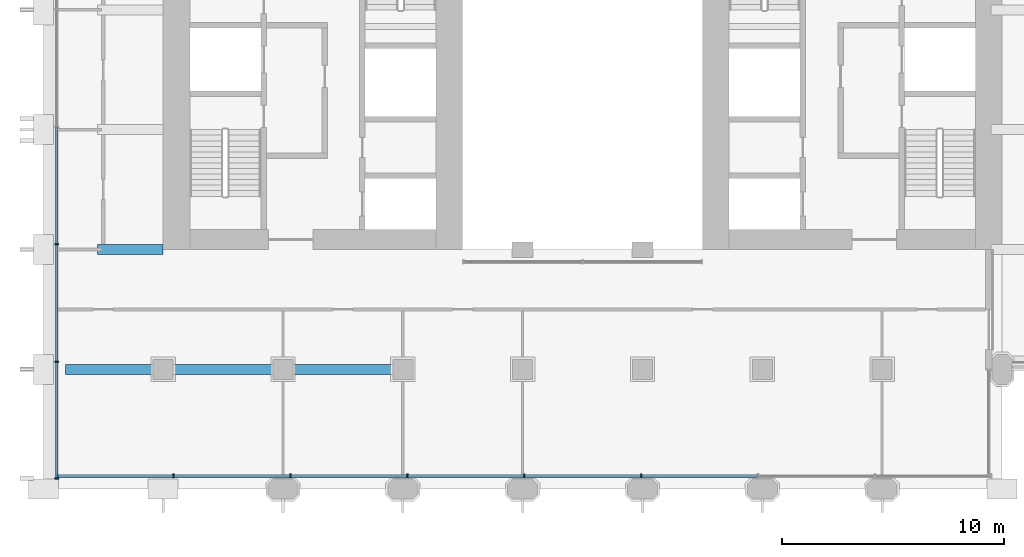
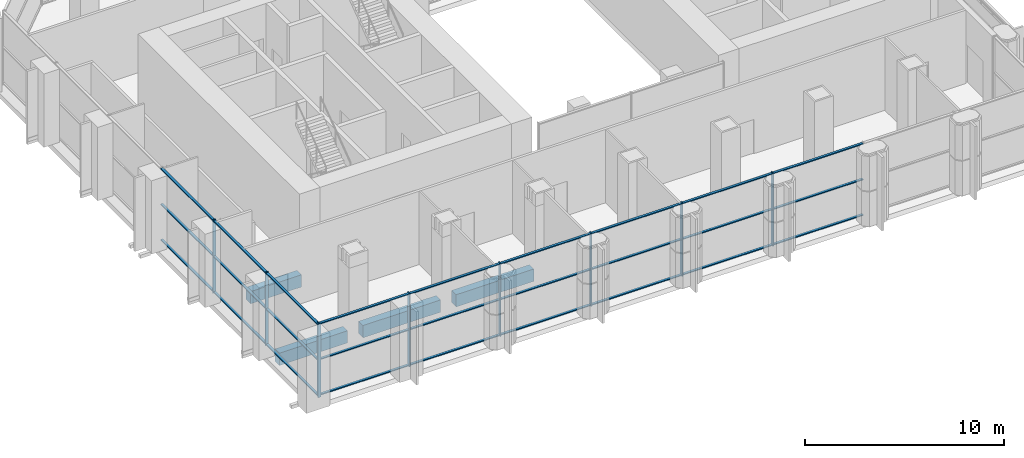
# One storey, part 2 of 15: 36 members, 4 beams, 2 elements without a shape of their own.
"""IFC4 building model written with IfcOpenShell, lengths in metres."""

from ifc_helpers import new_model, si_unit, direction, frame, origin, origin_2d, place, context, subcontext, project, spatial, rectangle, extrude, material, material_profile, profile_set, type_object, element, aggregate, save


model = new_model("IFC4")

# Units and contexts
model_context = context("Model", 3, precision=1e-05, world=origin(), true_north=direction((0.0, 1.0)))
body_context = subcontext(model_context, "Body", "Model", "MODEL_VIEW")
ifc_project = project(units=[si_unit("LENGTHUNIT", "METRE"), si_unit("AREAUNIT", "SQUARE_METRE"), si_unit("VOLUMEUNIT", "CUBIC_METRE"), si_unit("PLANEANGLEUNIT", "RADIAN"), si_unit("MASSUNIT", "GRAM", prefix="KILO")], contexts=[model_context])

# Site, building, storey
site_placement = place(None, origin())
site = spatial("IfcSite", under=ifc_project, at=site_placement, CompositionType="ELEMENT")
building_placement = place(site_placement, origin())
building = spatial("IfcBuilding", under=site, at=building_placement, Name="Tabaq Tower and Sports Hall", CompositionType="ELEMENT")
storey_placement = place(building_placement, frame((0.0, 0.0, 143.199951171875)))
storey = spatial("IfcBuildingStorey", under=building, at=storey_placement, Name="L33", CompositionType="ELEMENT", Elevation=143.199951171875)

# Curtain wall, members
ifc_material_1 = material(Name="Aluminium alloy 6063-T6 framed glazing", Category="aluminium")
curtain_wall_type = type_object("IfcCurtainWallType", Name="CW3 curtain wall", PredefinedType="USERDEFINED", material=ifc_material_1)
curtain_wall_1_placement = place(storey_placement, origin())
curtain_wall_1 = element("IfcCurtainWall", 1, at=curtain_wall_1_placement, inside=storey, type_object=curtain_wall_type, Name="Garden Floor Wall L33 S", ObjectType="GARDEN FLOOR WALL", PredefinedType="USERDEFINED")
ifc_material_2 = material(Name="Aluminium alloy 6063-T6", Category="aluminium")
ifc_material_profile_1 = material_profile(ifc_material_2, rectangle(XDim=0.179931640625, YDim=0.06005859375, at=origin_2d()), Name="MULLION 180x60")
ifc_profile_set_1 = profile_set([ifc_material_profile_1], Name="Aluminium alloy 6063-T6")
member_type_1 = type_object("IfcMemberType", Name="CW3 mullion 180x60", PredefinedType="MULLION", material=ifc_profile_set_1)
member_1_placement = place(storey_placement, frame((0.6298828125, 6.0, 0.0), z_axis=(0.0, 0.0, 1.0), x_axis=(0.0, 1.0, 0.0)))
member_1 = element("IfcMember", 2, at=member_1_placement, type_object=member_type_1, Name="CW3 mullion 1", PredefinedType="MULLION", context=body_context, shape_type="SweptSolid", body=[
    extrude(rectangle(XDim=0.179931640625, YDim=0.06005859375, at=origin_2d()), origin(), (0.0, 0.0, 1.0), 4.5),
])
member_2_placement = place(storey_placement, frame((5.86865234375, 6.0, 0.0), z_axis=(0.0, 0.0, 1.0), x_axis=(0.0, 1.0, 0.0)))
member_2 = element("IfcMember", 3, at=member_2_placement, type_object=member_type_1, Name="CW3 mullion 2", PredefinedType="MULLION", context=body_context, shape_type="SweptSolid", body=[
    extrude(rectangle(XDim=0.179931640625, YDim=0.06005859375, at=origin_2d()), origin(), (0.0, 0.0, 1.0), 4.5),
])
member_3_placement = place(storey_placement, frame((11.137451171875, 6.0, 0.0), z_axis=(0.0, 0.0, 1.0), x_axis=(0.0, 1.0, 0.0)))
member_3 = element("IfcMember", 4, at=member_3_placement, type_object=member_type_1, Name="CW3 mullion 3", PredefinedType="MULLION", context=body_context, shape_type="SweptSolid", body=[
    extrude(rectangle(XDim=0.179931640625, YDim=0.06005859375, at=origin_2d()), origin(), (0.0, 0.0, 1.0), 4.5),
])
member_4_placement = place(storey_placement, frame((16.40625, 6.0, 0.0), z_axis=(0.0, 0.0, 1.0), x_axis=(0.0, 1.0, 0.0)))
member_4 = element("IfcMember", 5, at=member_4_placement, type_object=member_type_1, Name="CW3 mullion 4", PredefinedType="MULLION", context=body_context, shape_type="SweptSolid", body=[
    extrude(rectangle(XDim=0.179931640625, YDim=0.06005859375, at=origin_2d()), origin(), (0.0, 0.0, 1.0), 4.5),
])
member_5_placement = place(storey_placement, frame((21.675048828125, 6.0, 0.0), z_axis=(0.0, 0.0, 1.0), x_axis=(0.0, 1.0, 0.0)))
member_5 = element("IfcMember", 6, at=member_5_placement, type_object=member_type_1, Name="CW3 mullion 5", PredefinedType="MULLION", context=body_context, shape_type="SweptSolid", body=[
    extrude(rectangle(XDim=0.179931640625, YDim=0.06005859375, at=origin_2d()), origin(), (0.0, 0.0, 1.0), 4.5),
])
member_6_placement = place(storey_placement, frame((26.94384765625, 6.0, 0.0), z_axis=(0.0, 0.0, 1.0), x_axis=(0.0, 1.0, 0.0)))
member_6 = element("IfcMember", 7, at=member_6_placement, type_object=member_type_1, Name="CW3 mullion 6", PredefinedType="MULLION", context=body_context, shape_type="SweptSolid", body=[
    extrude(rectangle(XDim=0.179931640625, YDim=0.06005859375, at=origin_2d()), origin(), (0.0, 0.0, 1.0), 4.5),
])

curtain_wall_2_placement = place(storey_placement, origin())
curtain_wall_2 = element("IfcCurtainWall", 8, at=curtain_wall_2_placement, inside=storey, type_object=curtain_wall_type, Name="Garden Floor Wall L33 W", ObjectType="GARDEN FLOOR WALL", PredefinedType="USERDEFINED")
member_7_placement = place(storey_placement, frame((0.60009765625, 16.43798828125, 0.0), z_axis=(0.0, 0.0, 1.0), x_axis=(1.0, 0.0, 0.0)))
member_7 = element("IfcMember", 9, at=member_7_placement, type_object=member_type_1, Name="CW3 mullion 5", PredefinedType="MULLION", context=body_context, shape_type="SweptSolid", body=[
    extrude(rectangle(XDim=0.179931640625, YDim=0.06005859375, at=origin_2d()), origin(), (0.0, 0.0, 1.0), 4.5),
])
member_8_placement = place(storey_placement, frame((0.60009765625, 11.14404296875, 0.0), z_axis=(0.0, 0.0, 1.0), x_axis=(1.0, 0.0, 0.0)))
member_8 = element("IfcMember", 10, at=member_8_placement, type_object=member_type_1, Name="CW3 mullion 6", PredefinedType="MULLION", context=body_context, shape_type="SweptSolid", body=[
    extrude(rectangle(XDim=0.179931640625, YDim=0.06005859375, at=origin_2d()), origin(), (0.0, 0.0, 1.0), 4.5),
])
member_9_placement = place(storey_placement, frame((0.60009765625, 5.8798828125, 0.0), z_axis=(0.0, 0.0, 1.0), x_axis=(1.0, 0.0, 0.0)))
member_9 = element("IfcMember", 11, at=member_9_placement, type_object=member_type_1, Name="CW3 mullion 7", PredefinedType="MULLION", context=body_context, shape_type="SweptSolid", body=[
    extrude(rectangle(XDim=0.179931640625, YDim=0.06005859375, at=origin_2d()), origin(), (0.0, 0.0, 1.0), 4.5),
])

# Member
ifc_material_3 = material(Name="Aluminium alloy 6063-T6", Category="aluminium")
ifc_material_profile_2 = material_profile(ifc_material_3, rectangle(XDim=0.139892578125, YDim=0.06005859375, at=origin_2d()), Name="TRANSOM 140x60")
ifc_profile_set_2 = profile_set([ifc_material_profile_2], Name="Aluminium alloy 6063-T6")
member_type_2 = type_object("IfcMemberType", Name="CW3 transom 140x60", PredefinedType="USERDEFINED", material=ifc_profile_set_2)
member_10_placement = place(storey_placement, frame((0.659912109375, 6.0, 0.070068359375), z_axis=(1.0, 0.0, 0.0), x_axis=(0.0, 1.0, 0.0)))
member_10 = element("IfcMember", 12, at=member_10_placement, type_object=member_type_2, Name="CW3 transom 1.1", ObjectType="TRANSOM", PredefinedType="USERDEFINED", context=body_context, shape_type="SweptSolid", body=[
    extrude(rectangle(XDim=0.139892578125, YDim=0.06005859375, at=origin_2d()), origin(), (0.0, 0.0, 1.0), 5.178955078125),
])

member_11_placement = place(storey_placement, frame((0.659912109375, 6.0, 2.25), z_axis=(1.0, 0.0, 0.0), x_axis=(0.0, 1.0, 0.0)))
member_11 = element("IfcMember", 13, at=member_11_placement, type_object=member_type_2, Name="CW3 transom 1.2", ObjectType="TRANSOM", PredefinedType="USERDEFINED", context=body_context, shape_type="SweptSolid", body=[
    extrude(rectangle(XDim=0.139892578125, YDim=0.06005859375, at=origin_2d()), origin(), (0.0, 0.0, 1.0), 5.178955078125),
])

member_12_placement = place(storey_placement, frame((0.659912109375, 6.0, 4.429931640625), z_axis=(1.0, 0.0, 0.0), x_axis=(0.0, 1.0, 0.0)))
member_12 = element("IfcMember", 14, at=member_12_placement, type_object=member_type_2, Name="CW3 transom 1.3", ObjectType="TRANSOM", PredefinedType="USERDEFINED", context=body_context, shape_type="SweptSolid", body=[
    extrude(rectangle(XDim=0.139892578125, YDim=0.06005859375, at=origin_2d()), origin(), (0.0, 0.0, 1.0), 5.178955078125),
])

member_13_placement = place(storey_placement, frame((5.898681640625, 6.0, 0.070068359375), z_axis=(1.0, 0.0, 0.0), x_axis=(0.0, 1.0, 0.0)))
member_13 = element("IfcMember", 15, at=member_13_placement, type_object=member_type_2, Name="CW3 transom 2.1", ObjectType="TRANSOM", PredefinedType="USERDEFINED", context=body_context, shape_type="SweptSolid", body=[
    extrude(rectangle(XDim=0.139892578125, YDim=0.06005859375, at=origin_2d()), origin(), (0.0, 0.0, 1.0), 5.208740234375),
])

member_14_placement = place(storey_placement, frame((5.898681640625, 6.0, 2.25), z_axis=(1.0, 0.0, 0.0), x_axis=(0.0, 1.0, 0.0)))
member_14 = element("IfcMember", 16, at=member_14_placement, type_object=member_type_2, Name="CW3 transom 2.2", ObjectType="TRANSOM", PredefinedType="USERDEFINED", context=body_context, shape_type="SweptSolid", body=[
    extrude(rectangle(XDim=0.139892578125, YDim=0.06005859375, at=origin_2d()), origin(), (0.0, 0.0, 1.0), 5.208740234375),
])

member_15_placement = place(storey_placement, frame((5.898681640625, 6.0, 4.429931640625), z_axis=(1.0, 0.0, 0.0), x_axis=(0.0, 1.0, 0.0)))
member_15 = element("IfcMember", 17, at=member_15_placement, type_object=member_type_2, Name="CW3 transom 2.3", ObjectType="TRANSOM", PredefinedType="USERDEFINED", context=body_context, shape_type="SweptSolid", body=[
    extrude(rectangle(XDim=0.139892578125, YDim=0.06005859375, at=origin_2d()), origin(), (0.0, 0.0, 1.0), 5.208740234375),
])

member_16_placement = place(storey_placement, frame((11.16748046875, 6.0, 0.070068359375), z_axis=(1.0, 0.0, 0.0), x_axis=(0.0, 1.0, 0.0)))
member_16 = element("IfcMember", 18, at=member_16_placement, type_object=member_type_2, Name="CW3 transom 3.1", ObjectType="TRANSOM", PredefinedType="USERDEFINED", context=body_context, shape_type="SweptSolid", body=[
    extrude(rectangle(XDim=0.139892578125, YDim=0.06005859375, at=origin_2d()), origin(), (0.0, 0.0, 1.0), 5.208740234375),
])

member_17_placement = place(storey_placement, frame((11.16748046875, 6.0, 2.25), z_axis=(1.0, 0.0, 0.0), x_axis=(0.0, 1.0, 0.0)))
member_17 = element("IfcMember", 19, at=member_17_placement, type_object=member_type_2, Name="CW3 transom 3.2", ObjectType="TRANSOM", PredefinedType="USERDEFINED", context=body_context, shape_type="SweptSolid", body=[
    extrude(rectangle(XDim=0.139892578125, YDim=0.06005859375, at=origin_2d()), origin(), (0.0, 0.0, 1.0), 5.208740234375),
])

member_18_placement = place(storey_placement, frame((11.16748046875, 6.0, 4.429931640625), z_axis=(1.0, 0.0, 0.0), x_axis=(0.0, 1.0, 0.0)))
member_18 = element("IfcMember", 20, at=member_18_placement, type_object=member_type_2, Name="CW3 transom 3.3", ObjectType="TRANSOM", PredefinedType="USERDEFINED", context=body_context, shape_type="SweptSolid", body=[
    extrude(rectangle(XDim=0.139892578125, YDim=0.06005859375, at=origin_2d()), origin(), (0.0, 0.0, 1.0), 5.208740234375),
])

member_19_placement = place(storey_placement, frame((16.436279296875, 6.0, 0.070068359375), z_axis=(1.0, 0.0, 0.0), x_axis=(0.0, 1.0, 0.0)))
member_19 = element("IfcMember", 21, at=member_19_placement, type_object=member_type_2, Name="CW3 transom 4.1", ObjectType="TRANSOM", PredefinedType="USERDEFINED", context=body_context, shape_type="SweptSolid", body=[
    extrude(rectangle(XDim=0.139892578125, YDim=0.06005859375, at=origin_2d()), origin(), (0.0, 0.0, 1.0), 5.208740234375),
])

member_20_placement = place(storey_placement, frame((16.436279296875, 6.0, 2.25), z_axis=(1.0, 0.0, 0.0), x_axis=(0.0, 1.0, 0.0)))
member_20 = element("IfcMember", 22, at=member_20_placement, type_object=member_type_2, Name="CW3 transom 4.2", ObjectType="TRANSOM", PredefinedType="USERDEFINED", context=body_context, shape_type="SweptSolid", body=[
    extrude(rectangle(XDim=0.139892578125, YDim=0.06005859375, at=origin_2d()), origin(), (0.0, 0.0, 1.0), 5.208740234375),
])

member_21_placement = place(storey_placement, frame((16.436279296875, 6.0, 4.429931640625), z_axis=(1.0, 0.0, 0.0), x_axis=(0.0, 1.0, 0.0)))
member_21 = element("IfcMember", 23, at=member_21_placement, type_object=member_type_2, Name="CW3 transom 4.3", ObjectType="TRANSOM", PredefinedType="USERDEFINED", context=body_context, shape_type="SweptSolid", body=[
    extrude(rectangle(XDim=0.139892578125, YDim=0.06005859375, at=origin_2d()), origin(), (0.0, 0.0, 1.0), 5.208740234375),
])

member_22_placement = place(storey_placement, frame((21.705078125, 6.0, 0.070068359375), z_axis=(1.0, 0.0, 0.0), x_axis=(0.0, 1.0, 0.0)))
member_22 = element("IfcMember", 24, at=member_22_placement, type_object=member_type_2, Name="CW3 transom 5.1", ObjectType="TRANSOM", PredefinedType="USERDEFINED", context=body_context, shape_type="SweptSolid", body=[
    extrude(rectangle(XDim=0.139892578125, YDim=0.06005859375, at=origin_2d()), origin(), (0.0, 0.0, 1.0), 5.208740234375),
])

member_23_placement = place(storey_placement, frame((21.705078125, 6.0, 2.25), z_axis=(1.0, 0.0, 0.0), x_axis=(0.0, 1.0, 0.0)))
member_23 = element("IfcMember", 25, at=member_23_placement, type_object=member_type_2, Name="CW3 transom 5.2", ObjectType="TRANSOM", PredefinedType="USERDEFINED", context=body_context, shape_type="SweptSolid", body=[
    extrude(rectangle(XDim=0.139892578125, YDim=0.06005859375, at=origin_2d()), origin(), (0.0, 0.0, 1.0), 5.208740234375),
])

member_24_placement = place(storey_placement, frame((21.705078125, 6.0, 4.429931640625), z_axis=(1.0, 0.0, 0.0), x_axis=(0.0, 1.0, 0.0)))
member_24 = element("IfcMember", 26, at=member_24_placement, type_object=member_type_2, Name="CW3 transom 5.3", ObjectType="TRANSOM", PredefinedType="USERDEFINED", context=body_context, shape_type="SweptSolid", body=[
    extrude(rectangle(XDim=0.139892578125, YDim=0.06005859375, at=origin_2d()), origin(), (0.0, 0.0, 1.0), 5.208740234375),
])

member_25_placement = place(storey_placement, frame((26.9736328125, 6.0, 0.070068359375), z_axis=(1.0, 0.0, 0.0), x_axis=(0.0, 1.0, 0.0)))
member_25 = element("IfcMember", 27, at=member_25_placement, type_object=member_type_2, Name="CW3 transom 6.1", ObjectType="TRANSOM", PredefinedType="USERDEFINED", context=body_context, shape_type="SweptSolid", body=[
    extrude(rectangle(XDim=0.139892578125, YDim=0.06005859375, at=origin_2d()), origin(), (0.0, 0.0, 1.0), 5.208984375),
])

member_26_placement = place(storey_placement, frame((26.9736328125, 6.0, 2.25), z_axis=(1.0, 0.0, 0.0), x_axis=(0.0, 1.0, 0.0)))
member_26 = element("IfcMember", 28, at=member_26_placement, type_object=member_type_2, Name="CW3 transom 6.2", ObjectType="TRANSOM", PredefinedType="USERDEFINED", context=body_context, shape_type="SweptSolid", body=[
    extrude(rectangle(XDim=0.139892578125, YDim=0.06005859375, at=origin_2d()), origin(), (0.0, 0.0, 1.0), 5.208984375),
])

member_27_placement = place(storey_placement, frame((26.9736328125, 6.0, 4.429931640625), z_axis=(1.0, 0.0, 0.0), x_axis=(0.0, 1.0, 0.0)))
member_27 = element("IfcMember", 29, at=member_27_placement, type_object=member_type_2, Name="CW3 transom 6.3", ObjectType="TRANSOM", PredefinedType="USERDEFINED", context=body_context, shape_type="SweptSolid", body=[
    extrude(rectangle(XDim=0.139892578125, YDim=0.06005859375, at=origin_2d()), origin(), (0.0, 0.0, 1.0), 5.208984375),
])

aggregate(curtain_wall_1, [member_1, member_2, member_3, member_4, member_5, member_6, member_10, member_11, member_12, member_13, member_14, member_15, member_16, member_17, member_18, member_19, member_20, member_21, member_22, member_23, member_24, member_25, member_26, member_27])

member_28_placement = place(storey_placement, frame((0.60009765625, 21.701904296875, 0.070068359375), z_axis=(0.0, -1.0, 0.0), x_axis=(1.0, 0.0, 0.0)))
member_28 = element("IfcMember", 30, at=member_28_placement, type_object=member_type_2, Name="CW3 transom 4.1", ObjectType="TRANSOM", PredefinedType="USERDEFINED", context=body_context, shape_type="SweptSolid", body=[
    extrude(rectangle(XDim=0.139892578125, YDim=0.06005859375, at=origin_2d()), origin(), (0.0, 0.0, 1.0), 5.234130859375),
])

member_29_placement = place(storey_placement, frame((0.60009765625, 21.701904296875, 2.25), z_axis=(0.0, -1.0, 0.0), x_axis=(1.0, 0.0, 0.0)))
member_29 = element("IfcMember", 31, at=member_29_placement, type_object=member_type_2, Name="CW3 transom 4.2", ObjectType="TRANSOM", PredefinedType="USERDEFINED", context=body_context, shape_type="SweptSolid", body=[
    extrude(rectangle(XDim=0.139892578125, YDim=0.06005859375, at=origin_2d()), origin(), (0.0, 0.0, 1.0), 5.234130859375),
])

member_30_placement = place(storey_placement, frame((0.60009765625, 21.701904296875, 4.429931640625), z_axis=(0.0, -1.0, 0.0), x_axis=(1.0, 0.0, 0.0)))
member_30 = element("IfcMember", 32, at=member_30_placement, type_object=member_type_2, Name="CW3 transom 4.3", ObjectType="TRANSOM", PredefinedType="USERDEFINED", context=body_context, shape_type="SweptSolid", body=[
    extrude(rectangle(XDim=0.139892578125, YDim=0.06005859375, at=origin_2d()), origin(), (0.0, 0.0, 1.0), 5.234130859375),
])

member_31_placement = place(storey_placement, frame((0.60009765625, 16.407958984375, 0.070068359375), z_axis=(0.0, -1.0, 0.0), x_axis=(1.0, 0.0, 0.0)))
member_31 = element("IfcMember", 33, at=member_31_placement, type_object=member_type_2, Name="CW3 transom 5.1", ObjectType="TRANSOM", PredefinedType="USERDEFINED", context=body_context, shape_type="SweptSolid", body=[
    extrude(rectangle(XDim=0.139892578125, YDim=0.06005859375, at=origin_2d()), origin(), (0.0, 0.0, 1.0), 5.234130859375),
])

member_32_placement = place(storey_placement, frame((0.60009765625, 16.407958984375, 2.25), z_axis=(0.0, -1.0, 0.0), x_axis=(1.0, 0.0, 0.0)))
member_32 = element("IfcMember", 34, at=member_32_placement, type_object=member_type_2, Name="CW3 transom 5.2", ObjectType="TRANSOM", PredefinedType="USERDEFINED", context=body_context, shape_type="SweptSolid", body=[
    extrude(rectangle(XDim=0.139892578125, YDim=0.06005859375, at=origin_2d()), origin(), (0.0, 0.0, 1.0), 5.234130859375),
])

member_33_placement = place(storey_placement, frame((0.60009765625, 16.407958984375, 4.429931640625), z_axis=(0.0, -1.0, 0.0), x_axis=(1.0, 0.0, 0.0)))
member_33 = element("IfcMember", 35, at=member_33_placement, type_object=member_type_2, Name="CW3 transom 5.3", ObjectType="TRANSOM", PredefinedType="USERDEFINED", context=body_context, shape_type="SweptSolid", body=[
    extrude(rectangle(XDim=0.139892578125, YDim=0.06005859375, at=origin_2d()), origin(), (0.0, 0.0, 1.0), 5.234130859375),
])

member_34_placement = place(storey_placement, frame((0.60009765625, 11.114013671875, 0.070068359375), z_axis=(0.0, -1.0, 0.0), x_axis=(1.0, 0.0, 0.0)))
member_34 = element("IfcMember", 36, at=member_34_placement, type_object=member_type_2, Name="CW3 transom 6.1", ObjectType="TRANSOM", PredefinedType="USERDEFINED", context=body_context, shape_type="SweptSolid", body=[
    extrude(rectangle(XDim=0.139892578125, YDim=0.06005859375, at=origin_2d()), origin(), (0.0, 0.0, 1.0), 5.2041015625),
])

member_35_placement = place(storey_placement, frame((0.60009765625, 11.114013671875, 2.25), z_axis=(0.0, -1.0, 0.0), x_axis=(1.0, 0.0, 0.0)))
member_35 = element("IfcMember", 37, at=member_35_placement, type_object=member_type_2, Name="CW3 transom 6.2", ObjectType="TRANSOM", PredefinedType="USERDEFINED", context=body_context, shape_type="SweptSolid", body=[
    extrude(rectangle(XDim=0.139892578125, YDim=0.06005859375, at=origin_2d()), origin(), (0.0, 0.0, 1.0), 5.2041015625),
])

member_36_placement = place(storey_placement, frame((0.60009765625, 11.114013671875, 4.429931640625), z_axis=(0.0, -1.0, 0.0), x_axis=(1.0, 0.0, 0.0)))
member_36 = element("IfcMember", 38, at=member_36_placement, type_object=member_type_2, Name="CW3 transom 6.3", ObjectType="TRANSOM", PredefinedType="USERDEFINED", context=body_context, shape_type="SweptSolid", body=[
    extrude(rectangle(XDim=0.139892578125, YDim=0.06005859375, at=origin_2d()), origin(), (0.0, 0.0, 1.0), 5.2041015625),
])

aggregate(curtain_wall_2, [member_7, member_8, member_9, member_28, member_29, member_30, member_31, member_32, member_33, member_34, member_35, member_36])

# Beams
ifc_material_4 = material(Name="Concrete C40/50", Category="concrete")
ifc_material_profile_3 = material_profile(ifc_material_4, rectangle(XDim=0.449951171875, YDim=0.75, at=origin_2d()), Name="CB 450x750")
ifc_profile_set_3 = profile_set([ifc_material_profile_3], Name="Concrete C40/50")
beam_type = type_object("IfcBeamType", Name="PT CANTILEVER BEAM CB 450x750 C40/50", PredefinedType="BEAM", material=ifc_profile_set_3)
beam_1_placement = place(storey_placement, frame((1.0, 10.800048828125, -0.675048828125), z_axis=(1.0, 0.0, 0.0), x_axis=(0.0, 1.0, 0.0)))
element("IfcBeam", 39, at=beam_1_placement, inside=storey, type_object=beam_type, Name="Cantilever Beam L33 W2 span 1", PredefinedType="BEAM", context=body_context, shape_type="SweptSolid", body=[
    extrude(rectangle(XDim=0.449951171875, YDim=0.75, at=origin_2d()), origin(), (0.0, 0.0, 1.0), 3.949951171875),
])
for number, where, z_axis, x_axis, name in (
    (40, (5.85009765625, 10.800048828125, -0.675048828125), (1.0, 0.0, 0.0), (0.0, 1.0, 0.0), "Cantilever Beam L33 W2 span 2"),
    (41, (11.25, 10.800048828125, -0.675048828125), (1.0, 0.0, 0.0), (0.0, 1.0, 0.0), "Cantilever Beam L33 W2 span 3"),
):
    element("IfcBeam", number, at=place(storey_placement, frame(where, z_axis=z_axis, x_axis=x_axis)), inside=storey, type_object=beam_type, Name=name, PredefinedType="BEAM", context=body_context, shape_type="SweptSolid", body=[
        extrude(rectangle(XDim=0.449951171875, YDim=0.75, at=origin_2d()), origin(), (0.0, 0.0, 1.0), 4.5),
    ])
beam_2_placement = place(storey_placement, frame((2.449951171875, 16.199951171875, -0.675048828125), z_axis=(1.0, 0.0, 0.0), x_axis=(0.0, 1.0, 0.0)))
element("IfcBeam", 42, at=beam_2_placement, inside=storey, type_object=beam_type, Name="Cantilever Beam L33 W3 span 1", PredefinedType="BEAM", context=body_context, shape_type="SweptSolid", body=[
    extrude(rectangle(XDim=0.449951171875, YDim=0.75, at=origin_2d()), origin(), (0.0, 0.0, 1.0), 2.949951171875),
])

save(model, "model.ifc")
